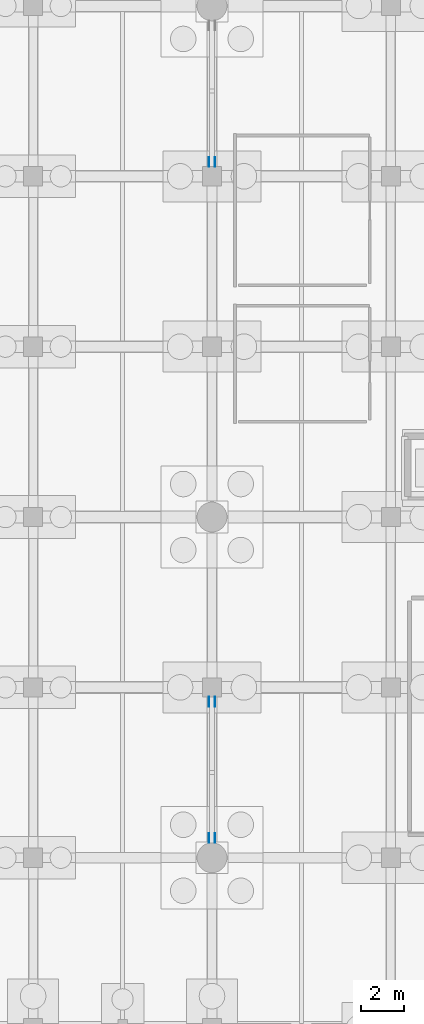
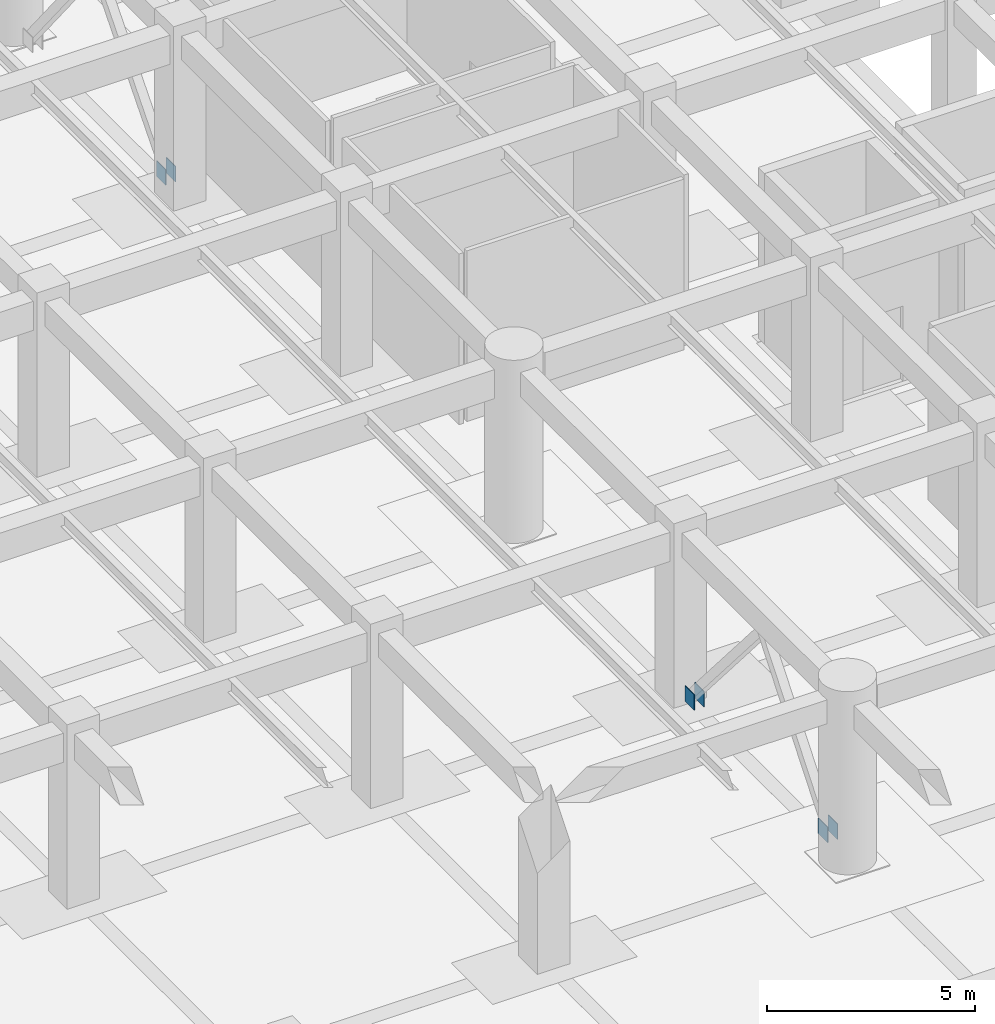
# One storey, part 46 of 56: 6 discrete accessories.
"""IFC4 building model written with IfcOpenShell, lengths in metres."""

from ifc_helpers import new_model, si_unit, direction, frame, origin, origin_2d, place, context, subcontext, project, spatial, rectangle, extrude, material, layer, layer_set, type_object, element, save


model = new_model("IFC4")

# Units and contexts
model_context = context("Model", 3, precision=1e-05, world=origin(), true_north=direction((0.0, 1.0)))
body_context = subcontext(model_context, "Body", "Model", "MODEL_VIEW")
ifc_project = project(units=[si_unit("LENGTHUNIT", "METRE"), si_unit("AREAUNIT", "SQUARE_METRE"), si_unit("VOLUMEUNIT", "CUBIC_METRE"), si_unit("PLANEANGLEUNIT", "RADIAN"), si_unit("MASSUNIT", "GRAM", prefix="KILO")], contexts=[model_context])

# Site, building, storey
site_placement = place(None, origin())
site = spatial("IfcSite", under=ifc_project, at=site_placement, CompositionType="ELEMENT")
building_placement = place(site_placement, origin())
building = spatial("IfcBuilding", under=site, at=building_placement, Name="Naruveol Harbour Congress Hotel", CompositionType="ELEMENT")
storey_placement = place(building_placement, frame((0.0, 0.0, -5.39990234375)))
storey = spatial("IfcBuildingStorey", under=building, at=storey_placement, Name="B01", CompositionType="ELEMENT", Elevation=-5.39990234375)

# Discrete accessories
ifc_material = material(Name="Steel SN490", Category="steel")
ifc_layer = layer(ifc_material, 0.02001953125)
ifc_layer_set = layer_set([ifc_layer], Name="Steel SN490")
discrete_accessory_type = type_object("IfcDiscreteAccessoryType", Name="STEEL BRACE GUSSET PLATE 20", PredefinedType="USERDEFINED", material=ifc_layer_set)
for number, where, z_axis, x_axis, name in (
    (1, (50.264892578125, 8.925048828125, 0.10986328125), (0.0, 0.0, 1.0), (0.0, 1.0, 0.0), "Brace gusset plate Lateral chevron brace B01 #1A (A)"),
    (2, (50.534912109375, 8.925048828125, 0.10986328125), (0.0, 0.0, 1.0), (0.0, 1.0, 0.0), "Brace gusset plate Lateral chevron brace B01 #1A (B)"),
    (3, (50.534912109375, 15.324951171875, 0.10986328125), (0.0, 0.0, 1.0), (0.0, -1.0, 0.0), "Brace gusset plate Lateral chevron brace B01 #1B (A)"),
    (4, (50.264892578125, 15.324951171875, 0.10986328125), (0.0, 0.0, 1.0), (0.0, -1.0, 0.0), "Brace gusset plate Lateral chevron brace B01 #1B (B)"),
    (5, (50.264892578125, 40.675048828125, 0.10986328125), (0.0, 0.0, 1.0), (0.0, 1.0, 0.0), "Brace gusset plate Lateral chevron brace B01 #2A (A)"),
    (6, (50.534912109375, 40.675048828125, 0.10986328125), (0.0, 0.0, 1.0), (0.0, 1.0, 0.0), "Brace gusset plate Lateral chevron brace B01 #2A (B)"),
):
    element("IfcDiscreteAccessory", number, at=place(storey_placement, frame(where, z_axis=z_axis, x_axis=x_axis)), inside=storey, type_object=discrete_accessory_type, Name=name, ObjectType="BRACE GUSSET PLATE", PredefinedType="USERDEFINED", context=body_context, shape_type="SweptSolid", body=[
        extrude(rectangle(XDim=0.449951171875, YDim=0.02001953125, at=origin_2d()), origin(), (0.0, 0.0, 1.0), 0.449951171875),
    ])

save(model, "model.ifc")
